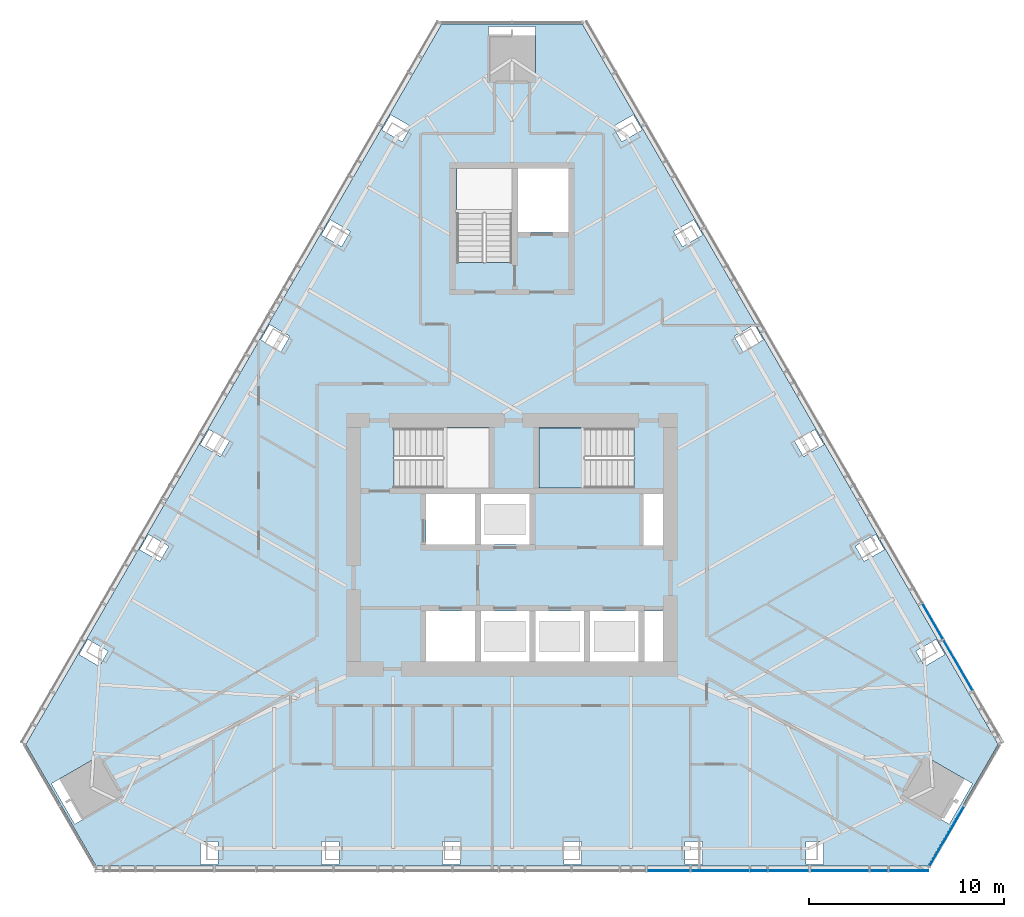
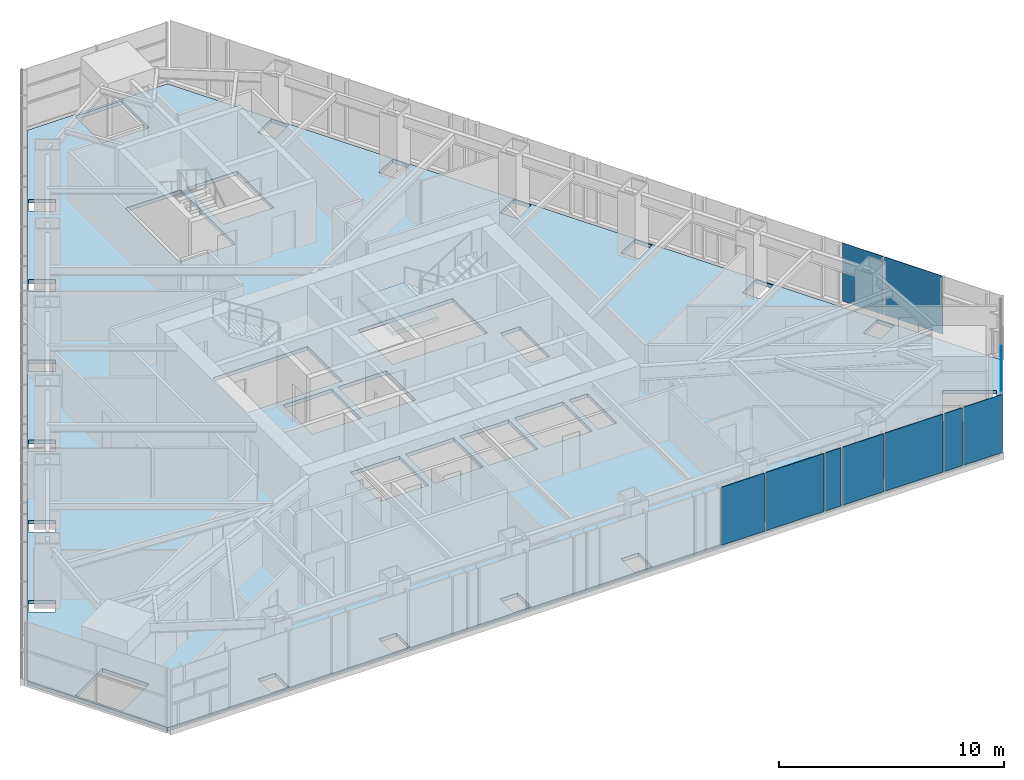
# One storey, part 11 of 18: 10 plates, 2 slabs, 4 elements without a shape of their own.
"""IFC4 building model written with IfcOpenShell, lengths in metres."""

from ifc_helpers import new_model, si_unit, direction, frame, origin, place, context, subcontext, project, spatial, polyline, outline, extrude, material, layer, layer_set, type_object, element, aggregate, save


model = new_model("IFC4")

# Units and contexts
model_context = context("Model", 3, precision=1e-05, world=origin(), true_north=direction((0.0, 1.0)))
body_context = subcontext(model_context, "Body", "Model", "MODEL_VIEW")
ifc_project = project(units=[si_unit("LENGTHUNIT", "METRE"), si_unit("AREAUNIT", "SQUARE_METRE"), si_unit("VOLUMEUNIT", "CUBIC_METRE"), si_unit("PLANEANGLEUNIT", "RADIAN"), si_unit("MASSUNIT", "GRAM", prefix="KILO")], contexts=[model_context])

# Site, building, storey
site_placement = place(None, origin())
site = spatial("IfcSite", under=ifc_project, at=site_placement, CompositionType="ELEMENT")
building_placement = place(site_placement, origin())
building = spatial("IfcBuilding", under=site, at=building_placement, Name="Firuza Gate Tower and Library", CompositionType="ELEMENT")
storey_placement = place(building_placement, frame((0.0, 0.0, 298.60009765625)))
storey = spatial("IfcBuildingStorey", under=building, at=storey_placement, Name="L72", CompositionType="ELEMENT", Elevation=298.60009765625)

# Slab
ifc_material_1 = material(Name="Concrete C40/50", Category="concrete")
ifc_layer_1 = layer(ifc_material_1, 0.199951171875)
ifc_layer_set_1 = layer_set([ifc_layer_1], Name="Composite floor slab 200 C40/50")
slab_type_1 = type_object("IfcSlabType", Name="Composite floor slab 200 C40/50", PredefinedType="FLOOR", material=ifc_layer_set_1)
slab_1_placement = place(storey_placement, frame((0.0, 0.0, -0.2001953125)))
element("IfcSlab", 1, at=slab_1_placement, inside=storey, type_object=slab_type_1, Name="Floor slab L72", PredefinedType="FLOOR", context=body_context, shape_type="SweptSolid", body=[
    extrude(outline(polyline([(50.06396484375, 64.760009765625), (53.6640625, 58.524658203125), (96.3359375, 58.524658203125), (99.93603515625, 64.760009765625), (78.60009765625, 101.715087890625), (71.39990234375, 101.715087890625), (50.06396484375, 64.760009765625)]), holes=[polyline([(59.0166015625, 58.587646484375), (59.0166015625, 59.78759765625), (59.916748046875, 59.78759765625), (59.916748046875, 58.587646484375), (59.0166015625, 58.587646484375)]), polyline([(65.22998046875, 58.587646484375), (65.22998046875, 59.78759765625), (66.1298828125, 59.78759765625), (66.1298828125, 58.587646484375), (65.22998046875, 58.587646484375)]), polyline([(71.443359375, 58.587646484375), (71.443359375, 59.78759765625), (72.34326171875, 59.78759765625), (72.34326171875, 58.587646484375), (71.443359375, 58.587646484375)]), polyline([(51.373046875, 62.74462890625), (53.451416015625, 63.944580078125), (54.6513671875, 61.8662109375), (52.572998046875, 60.666015625), (51.373046875, 62.74462890625)]), polyline([(53.244873046875, 70.1435546875), (54.283935546875, 69.543701171875), (53.833984375, 68.76416015625), (52.794921875, 69.3642578125), (53.244873046875, 70.1435546875)]), polyline([(73.10009765625, 69.0), (70.60009765625, 69.0), (70.60009765625, 71.60009765625), (73.10009765625, 71.60009765625), (73.10009765625, 69.0)]), polyline([(75.89990234375, 69.0), (73.39990234375, 69.0), (73.39990234375, 71.60009765625), (75.89990234375, 71.60009765625), (75.89990234375, 69.0)]), polyline([(56.3515625, 75.524658203125), (57.390625, 74.924560546875), (56.940673828125, 74.14501953125), (55.9013671875, 74.7451171875), (56.3515625, 75.524658203125)]), polyline([(73.10009765625, 75.0), (70.60009765625, 75.0), (70.60009765625, 77.60009765625), (73.10009765625, 77.60009765625), (73.10009765625, 75.0)]), polyline([(75.89990234375, 75.0), (73.39990234375, 75.0), (73.39990234375, 77.60009765625), (75.89990234375, 77.60009765625), (75.89990234375, 75.0)]), polyline([(68.9404296875, 77.89990234375), (68.9404296875, 80.97998046875), (73.81005859375, 80.97998046875), (73.81005859375, 77.89990234375), (68.9404296875, 77.89990234375)]), polyline([(59.458251953125, 80.905517578125), (60.497314453125, 80.305419921875), (60.04736328125, 79.526123046875), (59.008056640625, 80.1259765625), (59.458251953125, 80.905517578125)]), polyline([(62.564697265625, 86.286376953125), (63.60400390625, 85.686279296875), (63.154052734375, 84.906982421875), (62.11474609375, 85.5068359375), (62.564697265625, 86.286376953125)]), polyline([(65.67138671875, 91.667236328125), (66.710693359375, 91.067138671875), (66.2607421875, 90.287841796875), (65.221435546875, 90.887939453125), (65.67138671875, 91.667236328125)]), polyline([(72.159912109375, 89.470458984375), (72.159912109375, 94.300048828125), (75.0, 94.300048828125), (75.0, 89.470458984375), (72.159912109375, 89.470458984375)]), polyline([(68.778076171875, 97.048095703125), (69.8173828125, 96.4482421875), (69.367431640625, 95.668701171875), (68.328125, 96.268798828125), (68.778076171875, 97.048095703125)]), polyline([(76.199951171875, 101.58935546875), (76.199951171875, 99.189453125), (73.800048828125, 99.189453125), (73.800048828125, 101.58935546875), (76.199951171875, 101.58935546875)]), polyline([(77.65673828125, 58.587646484375), (77.65673828125, 59.78759765625), (78.556640625, 59.78759765625), (78.556640625, 58.587646484375), (77.65673828125, 58.587646484375)]), polyline([(83.8701171875, 58.587646484375), (83.8701171875, 59.78759765625), (84.77001953125, 59.78759765625), (84.77001953125, 58.587646484375), (83.8701171875, 58.587646484375)]), polyline([(90.083251953125, 58.587646484375), (90.083251953125, 59.78759765625), (90.9833984375, 59.78759765625), (90.9833984375, 58.587646484375), (90.083251953125, 58.587646484375)]), polyline([(97.427001953125, 60.666015625), (95.3486328125, 61.8662109375), (96.548583984375, 63.944580078125), (98.626953125, 62.74462890625), (97.427001953125, 60.666015625)]), polyline([(97.205078125, 69.3642578125), (96.166015625, 68.76416015625), (95.716064453125, 69.543701171875), (96.755126953125, 70.1435546875), (97.205078125, 69.3642578125)]), polyline([(78.699951171875, 69.0), (76.199951171875, 69.0), (76.199951171875, 71.60009765625), (78.699951171875, 71.60009765625), (78.699951171875, 69.0)]), polyline([(81.5, 69.0), (79.0, 69.0), (79.0, 71.60009765625), (81.5, 71.60009765625), (81.5, 69.0)]), polyline([(82.75, 69.0), (81.800048828125, 69.0), (81.800048828125, 71.60009765625), (82.75, 71.60009765625), (82.75, 69.0)]), polyline([(94.0986328125, 74.7451171875), (93.059326171875, 74.14501953125), (92.609375, 74.924560546875), (93.6484375, 75.524658203125), (94.0986328125, 74.7451171875)]), polyline([(82.75, 74.949951171875), (81.75, 74.949951171875), (81.75, 77.60009765625), (82.75, 77.60009765625), (82.75, 74.949951171875)]), polyline([(81.259521484375, 80.97998046875), (81.259521484375, 77.89990234375), (76.389892578125, 77.89990234375), (76.389892578125, 80.97998046875), (81.259521484375, 80.97998046875)]), polyline([(90.991943359375, 80.1259765625), (89.95263671875, 79.526123046875), (89.502685546875, 80.305419921875), (90.541748046875, 80.905517578125), (90.991943359375, 80.1259765625)]), polyline([(87.88525390625, 85.5068359375), (86.845947265625, 84.906982421875), (86.39599609375, 85.686279296875), (87.435302734375, 86.286376953125), (87.88525390625, 85.5068359375)]), polyline([(84.778564453125, 90.887939453125), (83.7392578125, 90.287841796875), (83.289306640625, 91.067138671875), (84.32861328125, 91.667236328125), (84.778564453125, 90.887939453125)]), polyline([(75.300048828125, 91.050048828125), (75.300048828125, 94.300048828125), (77.89990234375, 94.300048828125), (77.89990234375, 91.050048828125), (75.300048828125, 91.050048828125)]), polyline([(80.632568359375, 95.668701171875), (80.1826171875, 96.4482421875), (81.221923828125, 97.048095703125), (81.671875, 96.268798828125), (80.632568359375, 95.668701171875)])]), origin(), (0.0, 0.0, 1.0), 0.2001953125),
])

# Curtain wall, plates
ifc_material_2 = material(Name="Aluminium 6063-T6", Category="aluminium")
ifc_layer_2 = layer(ifc_material_2, 0.14990234375)
ifc_layer_set_2 = layer_set([ifc_layer_2], Name="Unitised curtain wall, residences")
curtain_wall_type_1 = type_object("IfcCurtainWallType", Name="Unitised curtain wall, residences", PredefinedType="NOTDEFINED", material=ifc_layer_set_2)
placement = place(storey_placement, origin())
curtain_wall_1 = element("IfcCurtainWall", 2, at=placement, inside=storey, type_object=curtain_wall_type_1, Name="CW3 L72 S face", PredefinedType="NOTDEFINED")
ifc_material_3 = material(Name="Fritted glass", Category="glass")
ifc_layer_3 = layer(ifc_material_3, 0.030029296875)
ifc_layer_set_3 = layer_set([ifc_layer_3], Name="Fritted glass unit, residences")
plate_type_1 = type_object("IfcPlateType", Name="Fritted glass unit, residences", PredefinedType="CURTAIN_PANEL", material=ifc_layer_set_3)
plate_1_placement = place(storey_placement, frame((87.2568359375, 58.2646484375, 0.14990234375), z_axis=(0.0, -1.0, 0.0), x_axis=(1.0, 0.0, 0.0)))
plate_1 = element("IfcPlate", 3, at=plate_1_placement, type_object=plate_type_1, Name="Glass unit", PredefinedType="CURTAIN_PANEL", context=body_context, shape_type="SweptSolid", body=[
    extrude(outline(polyline([(0.0, 0.0), (0.802490234375, 0.0), (0.802490234375, 3.14990234375), (0.0, 3.14990234375), (0.0, 0.0)])), origin(), (0.0, 0.0, -1.0), 0.030029296875),
])
plate_2_placement = place(storey_placement, frame((93.365234375, 58.2646484375, 0.14990234375), z_axis=(0.0, -1.0, 0.0), x_axis=(1.0, 0.0, 0.0)))
plate_2 = element("IfcPlate", 4, at=plate_2_placement, type_object=plate_type_1, Name="Glass unit", PredefinedType="CURTAIN_PANEL", context=body_context, shape_type="SweptSolid", body=[
    extrude(outline(polyline([(0.0, 0.0), (0.907470703125, 0.0), (0.907470703125, 3.14990234375), (0.0, 3.14990234375), (0.0, 0.0)])), origin(), (0.0, 0.0, -1.0), 0.030029296875),
])

# Curtain wall, plate
ifc_material_4 = material(Name="Aluminium 6063-T6", Category="aluminium")
ifc_layer_4 = layer(ifc_material_4, 0.14990234375)
ifc_layer_set_4 = layer_set([ifc_layer_4], Name="Corner curtain wall, chamfers")
curtain_wall_type_2 = type_object("IfcCurtainWallType", Name="Corner curtain wall, chamfers", PredefinedType="NOTDEFINED", material=ifc_layer_set_4)
curtain_wall_2 = element("IfcCurtainWall", 5, at=placement, inside=storey, type_object=curtain_wall_type_2, Name="CW4 L72 SE corner", PredefinedType="NOTDEFINED")
ifc_material_5 = material(Name="Glazed ceramic tile")
ifc_layer_5 = layer(ifc_material_5, 0.030029296875)
ifc_layer_set_5 = layer_set([ifc_layer_5], Name="Opaque ceramic panel, corners")
plate_type_2 = type_object("IfcPlateType", Name="Opaque ceramic panel, corners", PredefinedType="CURTAIN_PANEL", material=ifc_layer_set_5)
plate_3_placement = place(storey_placement, frame((96.412353515625, 58.476806640625, 0.14990234375), z_axis=(0.866046390552, -0.49996364809, 0.0), x_axis=(0.49996364809, 0.866046390552, 0.0)))
plate_3 = element("IfcPlate", 6, at=plate_3_placement, type_object=plate_type_2, Name="Opaque ceramic panel", PredefinedType="CURTAIN_PANEL", context=body_context, shape_type="SweptSolid", body=[
    extrude(outline(polyline([(0.0, 0.0), (3.563247342942594, 0.0), (3.563247342942594, 3.14990234375), (0.0, 3.14990234375), (0.0, 0.0)])), origin(), (0.0, 0.0, -1.0), 0.030029296875),
])
aggregate(curtain_wall_2, [plate_3])

# Plate
ifc_material_6 = material(Name="Glazed ceramic tile")
ifc_layer_6 = layer(ifc_material_6, 0.030029296875)
ifc_layer_set_6 = layer_set([ifc_layer_6], Name="Opaque ceramic panel, residences")
plate_type_3 = type_object("IfcPlateType", Name="Opaque ceramic panel, residences", PredefinedType="CURTAIN_PANEL", material=ifc_layer_set_6)
plate_4_placement = place(storey_placement, frame((81.926025390625, 58.2646484375, 0.14990234375), z_axis=(0.0, -1.0, 0.0), x_axis=(1.0, 0.0, 0.0)))
plate_4 = element("IfcPlate", 7, at=plate_4_placement, type_object=plate_type_3, Name="Opaque ceramic panel", PredefinedType="CURTAIN_PANEL", context=body_context, shape_type="SweptSolid", body=[
    extrude(outline(polyline([(0.0, 0.0), (2.196533203125, 0.0), (2.196533203125, 3.14990234375), (0.0, 3.14990234375), (0.0, 0.0)])), origin(), (0.0, 0.0, -1.0), 0.030029296875),
])

plate_5_placement = place(storey_placement, frame((84.20263671875, 58.2646484375, 0.14990234375), z_axis=(0.0, -1.0, 0.0), x_axis=(1.0, 0.0, 0.0)))
plate_5 = element("IfcPlate", 8, at=plate_5_placement, type_object=plate_type_3, Name="Opaque ceramic panel", PredefinedType="CURTAIN_PANEL", context=body_context, shape_type="SweptSolid", body=[
    extrude(outline(polyline([(0.0, 0.0), (2.97412109375, 0.0), (2.97412109375, 3.14990234375), (0.0, 3.14990234375), (0.0, 0.0)])), origin(), (0.0, 0.0, -1.0), 0.030029296875),
])

plate_6_placement = place(storey_placement, frame((88.139404296875, 58.2646484375, 0.14990234375), z_axis=(0.0, -1.0, 0.0), x_axis=(1.0, 0.0, 0.0)))
plate_6 = element("IfcPlate", 9, at=plate_6_placement, type_object=plate_type_3, Name="Opaque ceramic panel", PredefinedType="CURTAIN_PANEL", context=body_context, shape_type="SweptSolid", body=[
    extrude(outline(polyline([(0.0, 0.0), (2.091552734375, 0.0), (2.091552734375, 3.14990234375), (0.0, 3.14990234375), (0.0, 0.0)])), origin(), (0.0, 0.0, -1.0), 0.030029296875),
])

plate_7_placement = place(storey_placement, frame((90.31103515625, 58.2646484375, 0.14990234375), z_axis=(0.0, -1.0, 0.0), x_axis=(1.0, 0.0, 0.0)))
plate_7 = element("IfcPlate", 10, at=plate_7_placement, type_object=plate_type_3, Name="Opaque ceramic panel", PredefinedType="CURTAIN_PANEL", context=body_context, shape_type="SweptSolid", body=[
    extrude(outline(polyline([(0.0, 0.0), (2.97412109375, 0.0), (2.97412109375, 3.14990234375), (0.0, 3.14990234375), (0.0, 0.0)])), origin(), (0.0, 0.0, -1.0), 0.030029296875),
])

plate_8_placement = place(storey_placement, frame((94.3525390625, 58.2646484375, 0.14990234375), z_axis=(0.0, -1.0, 0.0), x_axis=(1.0, 0.0, 0.0)))
plate_8 = element("IfcPlate", 11, at=plate_8_placement, type_object=plate_type_3, Name="Opaque ceramic panel", PredefinedType="CURTAIN_PANEL", context=body_context, shape_type="SweptSolid", body=[
    extrude(outline(polyline([(0.0, 0.0), (1.98681640625, 0.0), (1.98681640625, 3.14990234375), (0.0, 3.14990234375), (0.0, 0.0)])), origin(), (0.0, 0.0, -1.0), 0.030029296875),
])

aggregate(curtain_wall_1, [plate_4, plate_5, plate_1, plate_6, plate_7, plate_2, plate_8])

# Curtain wall, plates
curtain_wall_3 = element("IfcCurtainWall", 12, at=placement, inside=storey, type_object=curtain_wall_type_1, Name="CW3 L72 E face", PredefinedType="NOTDEFINED")
plate_9_placement = place(storey_placement, frame((98.6357421875, 67.5322265625, 0.14990234375), z_axis=(0.866027015393, 0.499997208602, 0.0), x_axis=(-0.499997208602, 0.866027015393, 0.0)))
plate_9 = element("IfcPlate", 13, at=plate_9_placement, type_object=plate_type_3, Name="Opaque ceramic panel", PredefinedType="CURTAIN_PANEL", context=body_context, shape_type="SweptSolid", body=[
    extrude(outline(polyline([(0.0, 0.0), (2.9741376977512473, 0.0), (2.9741376977512473, 3.14990234375), (0.0, 3.14990234375), (0.0, 0.0)])), origin(), (0.0, 0.0, -1.0), 0.030029296875),
])
plate_10_placement = place(storey_placement, frame((97.108642578125, 70.17724609375, 0.14990234375), z_axis=(0.866022320763, 0.500005339912, 0.0), x_axis=(-0.500005339912, 0.866022320763, 0.0)))
plate_10 = element("IfcPlate", 14, at=plate_10_placement, type_object=plate_type_3, Name="Opaque ceramic panel", PredefinedType="CURTAIN_PANEL", context=body_context, shape_type="SweptSolid", body=[
    extrude(outline(polyline([(0.0, 0.0), (2.0917745352156762, 0.0), (2.0917745352156762, 3.14990234375), (0.0, 3.14990234375), (0.0, 0.0)])), origin(), (0.0, 0.0, -1.0), 0.030029296875),
])
aggregate(curtain_wall_3, [plate_9, plate_10])

# Stair, slab
ifc_material_7 = material(Name="Concrete C35/45", Category="concrete")
stair_type = type_object("IfcStairType", Name="Exit stair ST8", PredefinedType="HALF_TURN_STAIR", material=ifc_material_7)
stair = element("IfcStair", 15, at=placement, inside=storey, type_object=stair_type, Name="L72 Stair ST2", PredefinedType="HALF_TURN_STAIR")
ifc_material_8 = material(Name="Concrete C35/45", Category="concrete")
ifc_layer_7 = layer(ifc_material_8, 0.199951171875)
ifc_layer_set_7 = layer_set([ifc_layer_7], Name="Stair landing 200")
slab_type_2 = type_object("IfcSlabType", Name="Stair landing 200", PredefinedType="LANDING", material=ifc_layer_set_7)
slab_2_placement = place(storey_placement, frame((0.0, 0.0, 1.5498046875)))
slab_2 = element("IfcSlab", 16, at=slab_2_placement, type_object=slab_type_2, Name="ST2 landing 1", PredefinedType="LANDING", context=body_context, shape_type="SweptSolid", body=[
    extrude(outline(polyline([(78.739990234375, 80.97998046875), (76.389892578125, 80.97998046875), (76.389892578125, 77.89990234375), (78.739990234375, 77.89990234375), (78.739990234375, 80.97998046875)])), origin(), (0.0, 0.0, 1.0), 0.2001953125),
])
aggregate(stair, [slab_2])

save(model, "model.ifc")
